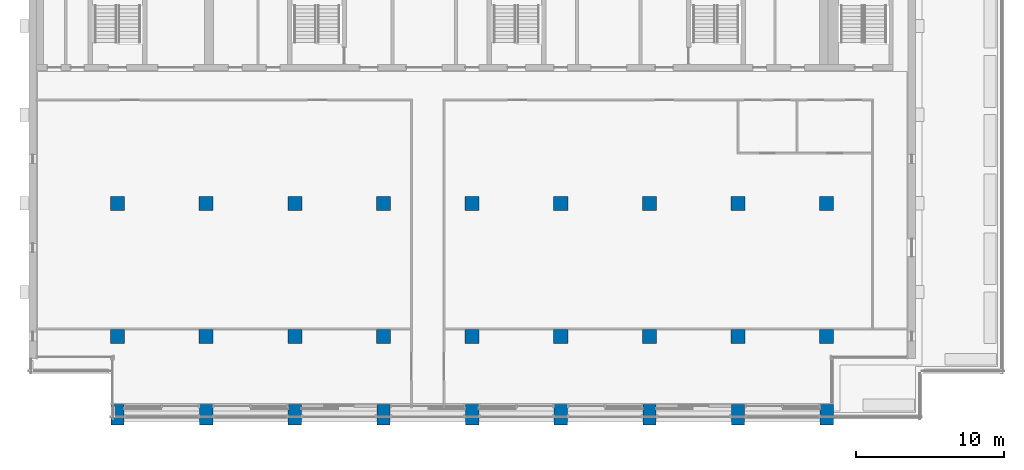
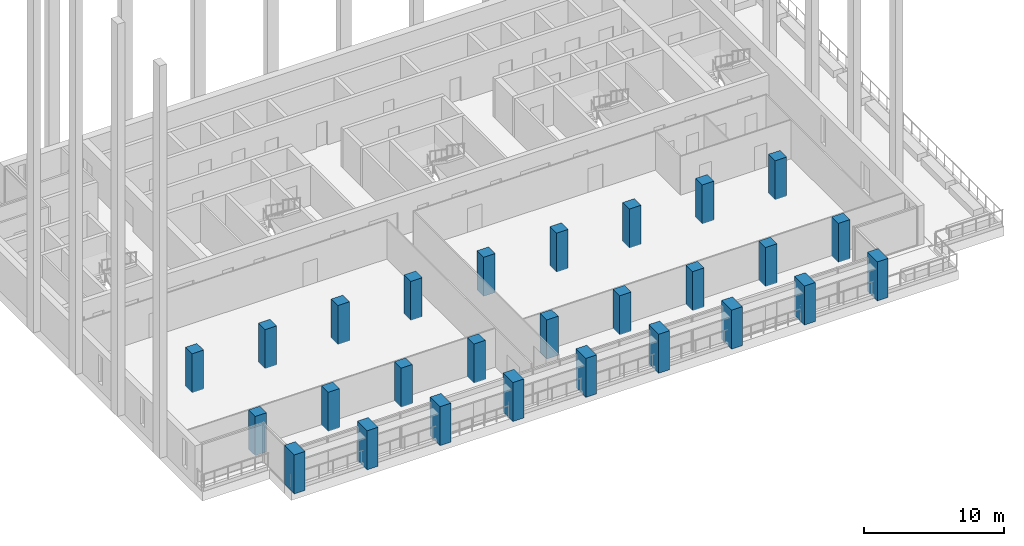
# One storey, part 1 of 16: 27 columns.
"""IFC4 building model written with IfcOpenShell, lengths in metres."""

from ifc_helpers import new_model, si_unit, direction, frame, origin, origin_2d, place, context, subcontext, project, spatial, rectangle, extrude, material, material_profile, profile_set, type_object, element, save


model = new_model("IFC4")

# Units and contexts
model_context = context("Model", 3, precision=1e-05, world=origin(), true_north=direction((0.0, 1.0)))
body_context = subcontext(model_context, "Body", "Model", "MODEL_VIEW")
ifc_project = project(units=[si_unit("LENGTHUNIT", "METRE"), si_unit("AREAUNIT", "SQUARE_METRE"), si_unit("VOLUMEUNIT", "CUBIC_METRE"), si_unit("PLANEANGLEUNIT", "RADIAN"), si_unit("MASSUNIT", "GRAM", prefix="KILO")], contexts=[model_context])

# Site, building, storey
site_placement = place(None, origin())
site = spatial("IfcSite", under=ifc_project, at=site_placement, CompositionType="ELEMENT")
building_placement = place(site_placement, origin())
building = spatial("IfcBuilding", under=site, at=building_placement, Name="Calvaro Tower", CompositionType="ELEMENT")
storey_placement = place(building_placement, frame((0.0, 0.0, 231.75)))
storey = spatial("IfcBuildingStorey", under=building, at=storey_placement, Name="L58", CompositionType="ELEMENT", Elevation=231.75)

# Columns
ifc_material_1 = material(Name="Concrete C40/50", Category="concrete")
ifc_material_profile_1 = material_profile(ifc_material_1, rectangle(XDim=0.949951171875, YDim=0.949951171875, at=origin_2d()), Name="RC 950x950")
ifc_profile_set_1 = profile_set([ifc_material_profile_1], Name="Concrete C40/50")
column_type_1 = type_object("IfcColumnType", Name="Column 950x950 C40/50", PredefinedType="COLUMN", material=ifc_profile_set_1)
for number, where, z_axis, x_axis, name in (
    (1, (12.0, 10.0, 0.0), (0.0, 0.0, 1.0), (1.0, 0.0, 0.0), "Column 3B"),
    (2, (12.0, 19.0, 0.0), (0.0, 0.0, 1.0), (1.0, 0.0, 0.0), "Column 3C"),
    (3, (18.0, 10.0, 0.0), (0.0, 0.0, 1.0), (1.0, 0.0, 0.0), "Column 4B"),
    (4, (18.0, 19.0, 0.0), (0.0, 0.0, 1.0), (1.0, 0.0, 0.0), "Column 4C"),
    (5, (24.0, 10.0, 0.0), (0.0, 0.0, 1.0), (1.0, 0.0, 0.0), "Column 5B"),
    (6, (24.0, 19.0, 0.0), (0.0, 0.0, 1.0), (1.0, 0.0, 0.0), "Column 5C"),
    (7, (30.0, 10.0, 0.0), (0.0, 0.0, 1.0), (1.0, 0.0, 0.0), "Column 6B"),
    (8, (30.0, 19.0, 0.0), (0.0, 0.0, 1.0), (1.0, 0.0, 0.0), "Column 6C"),
    (9, (36.0, 10.0, 0.0), (0.0, 0.0, 1.0), (1.0, 0.0, 0.0), "Column 7B"),
    (10, (36.0, 19.0, 0.0), (0.0, 0.0, 1.0), (1.0, 0.0, 0.0), "Column 7C"),
    (11, (42.0, 10.0, 0.0), (0.0, 0.0, 1.0), (1.0, 0.0, 0.0), "Column 8B"),
    (12, (42.0, 19.0, 0.0), (0.0, 0.0, 1.0), (1.0, 0.0, 0.0), "Column 8C"),
    (13, (48.0, 10.0, 0.0), (0.0, 0.0, 1.0), (1.0, 0.0, 0.0), "Column 9B"),
    (14, (48.0, 19.0, 0.0), (0.0, 0.0, 1.0), (1.0, 0.0, 0.0), "Column 9C"),
    (15, (54.0, 10.0, 0.0), (0.0, 0.0, 1.0), (1.0, 0.0, 0.0), "Column 10B"),
    (16, (54.0, 19.0, 0.0), (0.0, 0.0, 1.0), (1.0, 0.0, 0.0), "Column 10C"),
    (17, (60.0, 10.0, 0.0), (0.0, 0.0, 1.0), (1.0, 0.0, 0.0), "Column 11B"),
    (18, (60.0, 19.0, 0.0), (0.0, 0.0, 1.0), (1.0, 0.0, 0.0), "Column 11C"),
):
    element("IfcColumn", number, at=place(storey_placement, frame(where, z_axis=z_axis, x_axis=x_axis)), inside=storey, type_object=column_type_1, Name=name, PredefinedType="COLUMN", context=body_context, shape_type="SweptSolid", body=[
        extrude(rectangle(XDim=0.949951171875, YDim=0.949951171875, at=origin_2d()), origin(), (0.0, 0.0, 1.0), 3.39990234375),
    ])
ifc_material_2 = material(Name="Concrete C40/50", Category="concrete")
ifc_material_profile_2 = material_profile(ifc_material_2, rectangle(XDim=0.89990234375, YDim=1.39990234375, at=origin_2d()), Name="RC 900x1400")
ifc_profile_set_2 = profile_set([ifc_material_profile_2], Name="Concrete C40/50")
column_type_2 = type_object("IfcColumnType", Name="Pier 900x1400 C40/50", PredefinedType="COLUMN", material=ifc_profile_set_2)
for number, where, z_axis, x_axis, name in (
    (19, (12.0, 4.699951171875, 0.0), (0.0, 0.0, 1.0), (1.0, 0.0, 0.0), "South pier 3"),
    (20, (18.0, 4.699951171875, 0.0), (0.0, 0.0, 1.0), (1.0, 0.0, 0.0), "South pier 4"),
    (21, (24.0, 4.699951171875, 0.0), (0.0, 0.0, 1.0), (1.0, 0.0, 0.0), "South pier 5"),
    (22, (30.0, 4.699951171875, 0.0), (0.0, 0.0, 1.0), (1.0, 0.0, 0.0), "South pier 6"),
    (23, (36.0, 4.699951171875, 0.0), (0.0, 0.0, 1.0), (1.0, 0.0, 0.0), "South pier 7"),
    (24, (42.0, 4.699951171875, 0.0), (0.0, 0.0, 1.0), (1.0, 0.0, 0.0), "South pier 8"),
    (25, (48.0, 4.699951171875, 0.0), (0.0, 0.0, 1.0), (1.0, 0.0, 0.0), "South pier 9"),
    (26, (54.0, 4.699951171875, 0.0), (0.0, 0.0, 1.0), (1.0, 0.0, 0.0), "South pier 10"),
    (27, (60.0, 4.699951171875, 0.0), (0.0, 0.0, 1.0), (1.0, 0.0, 0.0), "South pier 11"),
):
    element("IfcColumn", number, at=place(storey_placement, frame(where, z_axis=z_axis, x_axis=x_axis)), inside=storey, type_object=column_type_2, Name=name, PredefinedType="COLUMN", context=body_context, shape_type="SweptSolid", body=[
        extrude(rectangle(XDim=0.89990234375, YDim=1.39990234375, at=origin_2d()), origin(), (0.0, 0.0, 1.0), 3.39990234375),
    ])

save(model, "model.ifc")
